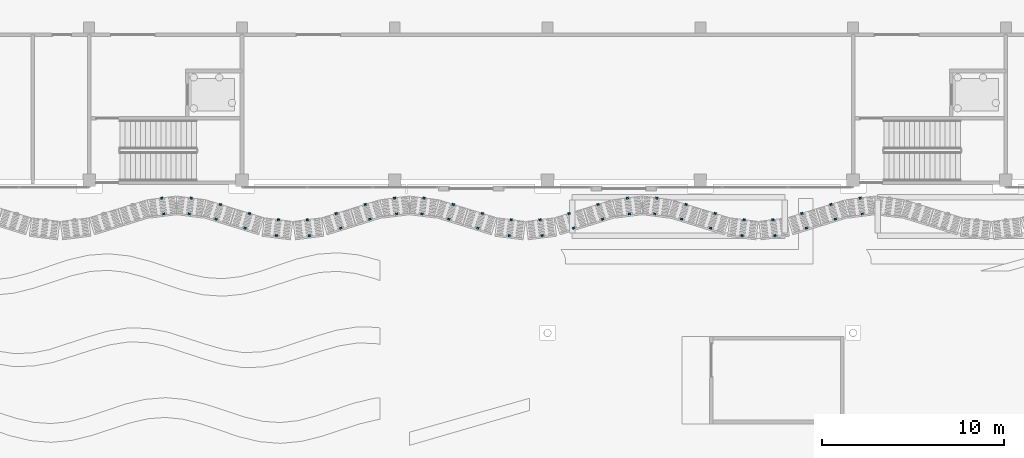
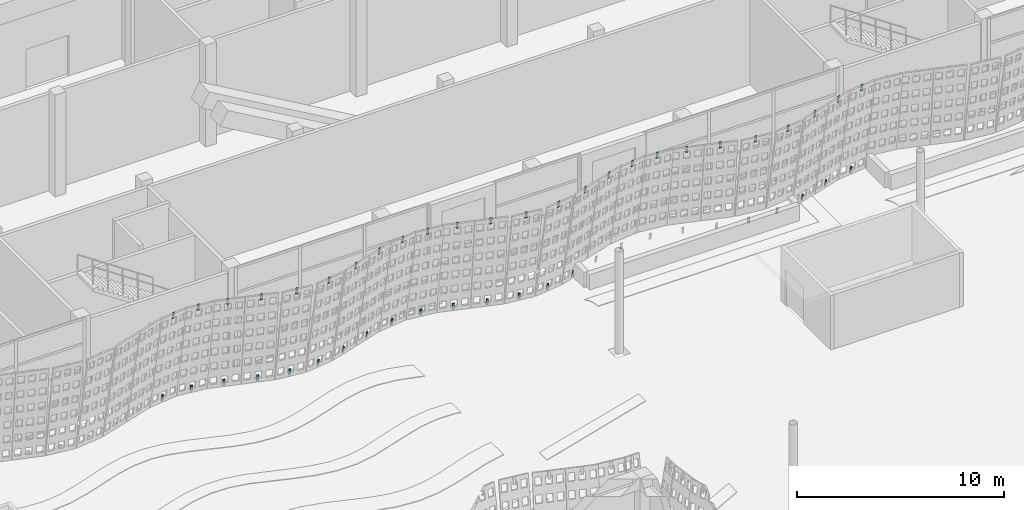
# One storey, part 140 of 210: 50 discrete accessories.
"""IFC4 building model written with IfcOpenShell, lengths in metres."""

import ifcopenshell
import ifcopenshell.guid

model = None  # the IFC model being written
_history = None  # IfcOwnerHistory: only IFC2X3 demands one
_inside = {}  # id of a spatial element -> (the spatial element, [elements in it])
_under = {}  # id of a project, library or spatial element -> (it, [spatial elements below it])
_declared = {}  # id of a project -> (the project, [libraries it declares])
_typed = {}  # id of a type object -> (the type object, [elements of that type])
_made_of = {}  # id of a material, layer set ... -> (it, [elements and type objects made of it])


def new_model(schema):
    """Start an empty IFC model of exactly this schema.

    Asked for "IFC4X3", IfcOpenShell would pick the latest addendum, in which some entities
    have other attributes; the version numbers below select the first issue.
    IFC2X3 requires an IfcOwnerHistory on every rooted entity: one is made here for all.
    """
    global model, _history
    if schema == "IFC4X3":
        model = ifcopenshell.file(schema_version=(4, 3, 0, 0))
    else:
        model = ifcopenshell.file(schema=schema)
    _inside.clear()
    _under.clear()
    _declared.clear()
    _typed.clear()
    _made_of.clear()
    _history = None
    if model.schema == "IFC2X3":
        org = make("IfcOrganization", Name="unknown")
        user = make(
            "IfcPersonAndOrganization",
            ThePerson=make("IfcPerson", FamilyName="unknown"),
            TheOrganization=org,
        )
        app = make(
            "IfcApplication",
            ApplicationDeveloper=org,
            Version="unknown",
            ApplicationFullName="unknown",
            ApplicationIdentifier="unknown",
        )
        _history = make(
            "IfcOwnerHistory",
            OwningUser=user,
            OwningApplication=app,
            ChangeAction="ADDED",
            CreationDate=0,
        )
    return model


def make(cls, **values):
    """One entity of the class cls with the attributes given. An attribute that is None is left unset."""
    return model.create_entity(
        cls, **{name: value for name, value in values.items() if value is not None}
    )


def rooted(cls, **values):
    """An entity with a GlobalId (a new one), such as an element, a storey or a relation."""
    return make(cls, GlobalId=ifcopenshell.guid.new(), OwnerHistory=_history, **values)


def si_unit(unit_type, name, prefix=None):
    """IfcSIUnit, for example si_unit("LENGTHUNIT", "METRE", prefix="MILLI")."""
    return make("IfcSIUnit", UnitType=unit_type, Prefix=prefix, Name=name)


def assignment(units):
    """IfcUnitAssignment: the units of a project."""
    return None if units is None else make("IfcUnitAssignment", Units=units)


def point(xyz):
    """IfcCartesianPoint."""
    return None if xyz is None else make("IfcCartesianPoint", Coordinates=xyz)


def direction(xyz):
    """IfcDirection."""
    return None if xyz is None else make("IfcDirection", DirectionRatios=xyz)


def frame(location, z_axis=None, x_axis=None):
    """IfcAxis2Placement3D, a coordinate frame: its origin and axes. An axis left out is left unset."""
    return make(
        "IfcAxis2Placement3D",
        Location=point(location),
        Axis=direction(z_axis),
        RefDirection=direction(x_axis),
    )


def frame_2d(location, x_axis=None):
    """IfcAxis2Placement2D, a coordinate frame in the plane: its origin and x axis."""
    return make(
        "IfcAxis2Placement2D", Location=point(location), RefDirection=direction(x_axis)
    )


def origin():
    """The frame at (0, 0, 0) with its axes left unset."""
    return frame((0.0, 0.0, 0.0))


def origin_2d():
    """The frame at (0, 0) in the plane with its x axis left unset."""
    return frame_2d((0.0, 0.0))


def place(relative_to, where):
    """IfcLocalPlacement: puts the frame where relative to a parent placement (None: the world)."""
    return make(
        "IfcLocalPlacement", PlacementRelTo=relative_to, RelativePlacement=where
    )


def context(
    kind, dimensions, precision=None, world=None, true_north=None, identifier=None
):
    """IfcGeometricRepresentationContext, for example the 3D "Model" context."""
    return make(
        "IfcGeometricRepresentationContext",
        ContextIdentifier=identifier,
        ContextType=kind,
        CoordinateSpaceDimension=dimensions,
        Precision=precision,
        WorldCoordinateSystem=world,
        TrueNorth=true_north,
    )


def subcontext(parent, identifier, kind, view, scale=None):
    """IfcGeometricRepresentationSubContext, for example "Body" below "Model"."""
    return make(
        "IfcGeometricRepresentationSubContext",
        ContextIdentifier=identifier,
        ContextType=kind,
        ParentContext=parent,
        TargetScale=scale,
        TargetView=view,
    )


def project(units=None, contexts=None):
    """IfcProject with its units and contexts."""
    return rooted(
        "IfcProject",
        Name="project",
        RepresentationContexts=contexts,
        UnitsInContext=assignment(units),
    )


def spatial(cls, under=None, at=None, **own):
    """A site, building, storey or space (cls), placed at a placement, below another one or the project."""
    s = rooted(cls, ObjectPlacement=at, **own)
    if under is not None:
        _under.setdefault(under.id(), (under, []))[1].append(s)
    return s


def profile(cls, at=None, kind="AREA", **sizes):
    """A parametric profile (cls). Its sizes go by their IFC names, for example OverallWidth=200.0."""
    return make(cls, ProfileType=kind, Position=at, **sizes)


def rectangle(**sizes):
    """IfcRectangleProfileDef."""
    return profile("IfcRectangleProfileDef", **sizes)


def extrude(swept, where, along, depth):
    """IfcExtrudedAreaSolid: the profile swept, set in the frame where, extruded along a direction by depth."""
    return make(
        "IfcExtrudedAreaSolid",
        SweptArea=swept,
        Position=where,
        ExtrudedDirection=direction(along),
        Depth=depth,
    )


def shape(context_of_items, identifier, shape_type, items):
    """IfcShapeRepresentation: the items that make up one representation, for example the "Body"."""
    return make(
        "IfcShapeRepresentation",
        ContextOfItems=context_of_items,
        RepresentationIdentifier=identifier,
        RepresentationType=shape_type,
        Items=items,
    )


def material(Name=None, Category=None):
    """IfcMaterial."""
    return make("IfcMaterial", Name=Name, Category=Category)


def material_profile(
    of_material, cross_section, Name=None, Category=None, Priority=None
):
    """IfcMaterialProfile: a cross section and its material."""
    return make(
        "IfcMaterialProfile",
        Name=Name,
        Material=of_material,
        Profile=cross_section,
        Priority=Priority,
        Category=Category,
    )


def profile_set(profiles, Name=None, composite=None):
    """IfcMaterialProfileSet."""
    return make(
        "IfcMaterialProfileSet",
        Name=Name,
        MaterialProfiles=profiles,
        CompositeProfile=composite,
    )


def made_of(thing, what):
    """Note that an element or type object is made of a material, layer set ...; save() writes the relation."""
    if what is not None:
        _made_of.setdefault(what.id(), (what, []))[1].append(thing)
    return thing


def type_object(cls, material=None, **own):
    """A type object (cls), such as IfcWallType, which elements share."""
    return made_of(rooted(cls, **own), material)


def element(
    cls,
    number,
    at=None,
    inside=None,
    cuts=None,
    type_object=None,
    material=None,
    context=None,
    identifier="Body",
    shape_type=None,
    held_by="IfcProductDefinitionShape",
    body=None,
    shapes=None,
    **own,
):
    """One element of the class cls, such as IfcWall. Its Tag is "e" and its number.

    at: its placement. inside: the storey or other place that contains it. cuts: it is an
    opening in that element (IfcRelVoidsElement). A single representation is given by context,
    identifier, shape_type and body (its items); several are given by shapes. held_by: the class
    of the entity that holds the representations. save() writes the other relations.
    """
    e = rooted(cls, Tag="e%d" % number, ObjectPlacement=at, **own)
    if body is not None:
        shapes = [shape(context, identifier, shape_type, body)]
    if shapes is not None:
        e.Representation = make(held_by, Representations=shapes)
    if inside is not None:
        _inside.setdefault(inside.id(), (inside, []))[1].append(e)
    if cuts is not None:
        rooted(
            "IfcRelVoidsElement", RelatingBuildingElement=cuts, RelatedOpeningElement=e
        )
    if type_object is not None:
        _typed.setdefault(type_object.id(), (type_object, []))[1].append(e)
    return made_of(e, material)


def aggregate(whole, parts):
    """IfcRelAggregates: a whole, such as a stair, and the parts it consists of."""
    return rooted("IfcRelAggregates", RelatingObject=whole, RelatedObjects=parts)


def save(model, path):
    """Write the relations noted so far, then the file.

    IfcRelAggregates (storeys below a building ...), IfcRelContainedInSpatialStructure (elements
    in a storey), IfcRelDefinesByType, IfcRelAssociatesMaterial and IfcRelDeclares: one each for
    every whole, place, type object, material and project.
    """
    for whole, parts in _under.values():
        aggregate(whole, parts)
    for where, things in _inside.values():
        rooted(
            "IfcRelContainedInSpatialStructure",
            RelatedElements=things,
            RelatingStructure=where,
        )
    for kind, things in _typed.values():
        rooted("IfcRelDefinesByType", RelatedObjects=things, RelatingType=kind)
    for what, things in _made_of.values():
        rooted("IfcRelAssociatesMaterial", RelatedObjects=things, RelatingMaterial=what)
    for by, libraries in _declared.values():
        rooted("IfcRelDeclares", RelatingContext=by, RelatedDefinitions=libraries)
    model.write(path)


model = new_model("IFC4")

# Units and contexts
model_context = context("Model", 3, precision=1e-05, world=origin(), true_north=direction((0.0, 1.0)))
body_context = subcontext(model_context, "Body", "Model", "MODEL_VIEW")
ifc_project = project(units=[si_unit("LENGTHUNIT", "METRE"), si_unit("AREAUNIT", "SQUARE_METRE"), si_unit("VOLUMEUNIT", "CUBIC_METRE"), si_unit("PLANEANGLEUNIT", "RADIAN"), si_unit("MASSUNIT", "GRAM", prefix="KILO")], contexts=[model_context])

# Site, building, storey
site_placement = place(None, origin())
site = spatial("IfcSite", under=ifc_project, at=site_placement, CompositionType="ELEMENT")
building_placement = place(site_placement, origin())
building = spatial("IfcBuilding", under=site, at=building_placement, Name="Rain Tree Exposition and Congress Centre", CompositionType="ELEMENT")
storey_placement = place(building_placement, origin())
storey = spatial("IfcBuildingStorey", under=building, at=storey_placement, Name="L00", CompositionType="ELEMENT", Elevation=0.0)

# Discrete accessories
ifc_material = material(Name="Steel S355J2", Category="steel")
ifc_material_profile = material_profile(ifc_material, rectangle(XDim=0.1201171875, YDim=0.050048828125, at=origin_2d()), Name="Flat bar 120x50")
ifc_profile_set = profile_set([ifc_material_profile], Name="Steel S355J2")
discrete_accessory_type = type_object("IfcDiscreteAccessoryType", Name="Screen bracket 120x50", PredefinedType="BRACKET", material=ifc_profile_set)
for number, where, z_axis, x_axis, name in (
    (1, (37.6982421875, 73.781005859375, 5.351318359375), (0.020139379294, -0.160504750127, 0.986829585384), (0.992219726556, 0.124499053142, 0.0), "concourse/bracket/L00/0241t"),
    (2, (37.5869140625, 74.650390625, 0.00390625), (0.020139379294, -0.160504750127, 0.986829585384), (0.992219726556, 0.124499053142, 0.0), "concourse/bracket/L00/0241b"),
    (3, (39.101806640625, 73.781005859375, 5.351318359375), (-0.020749404626, -0.160502747552, 0.986817272972), (0.991746960377, -0.128210633661, 0.0), "concourse/bracket/L00/0251t"),
    (4, (39.213134765625, 74.650390625, 0.00390625), (-0.020139379294, -0.160504750127, 0.986829585384), (0.992219726556, -0.124499053142, 0.0), "concourse/bracket/L00/0251b"),
):
    element("IfcDiscreteAccessory", number, at=place(storey_placement, frame(where, z_axis=z_axis, x_axis=x_axis)), inside=storey, type_object=discrete_accessory_type, Name=name, PredefinedType="BRACKET", context=body_context, shape_type="SweptSolid", body=[
        extrude(rectangle(XDim=0.1201171875, YDim=0.050048828125, at=origin_2d()), origin(), (0.0, 0.0, 1.0), 0.400146484375),
    ])
for number, where, z_axis, x_axis, name in (
    (5, (40.5810546875, 73.489990234375, 5.35107421875), (-0.045787195948, -0.148961010819, 0.987782440593), (0.955863671221, -0.293810554678, 0.0), "concourse/bracket/L00/0261t"),
    (6, (40.83056640625, 74.29638671875, 0.00390625), (-0.045787195948, -0.148961010819, 0.987782440593), (0.955863671221, -0.293810554678, 0.0), "concourse/bracket/L00/0261b"),
    (7, (42.177734375, 72.99609375, 5.35107421875), (-0.045783024094, -0.149557878708, 0.987692439791), (0.956199955507, -0.292714272094, 0.0), "concourse/bracket/L00/0271t"),
    (8, (42.42724609375, 73.802490234375, 0.00390625), (-0.045787195948, -0.148961010819, 0.987782440593), (0.955863671221, -0.293810554678, 0.0), "concourse/bracket/L00/0271b"),
):
    element("IfcDiscreteAccessory", number, at=place(storey_placement, frame(where, z_axis=z_axis, x_axis=x_axis)), inside=storey, type_object=discrete_accessory_type, Name=name, PredefinedType="BRACKET", context=body_context, shape_type="SweptSolid", body=[
        extrude(rectangle(XDim=0.1201171875, YDim=0.050048828125, at=origin_2d()), origin(), (0.0, 0.0, 1.0), 0.39990234375),
    ])
for number, where, z_axis, x_axis, name in (
    (9, (43.900146484375, 72.586181640625, 5.351318359375), (-0.020749404626, -0.160502747552, 0.986817272972), (0.991746960377, -0.128210633661, 0.0), "concourse/bracket/L00/0281t"),
    (10, (44.011474609375, 73.45556640625, 0.00390625), (-0.020139379294, -0.160504750127, 0.986829585384), (0.992219726556, -0.124499053142, 0.0), "concourse/bracket/L00/0281b"),
    (11, (45.699951171875, 72.586181640625, 5.351318359375), (0.020139379294, -0.160504750127, 0.986829585384), (0.992219726556, 0.124499053142, 0.0), "concourse/bracket/L00/0291t"),
    (12, (45.58837890625, 73.45556640625, 0.00390625), (0.020749404626, -0.160502747552, 0.986817272972), (0.991746960377, 0.128210633661, 0.0), "concourse/bracket/L00/0291b"),
):
    element("IfcDiscreteAccessory", number, at=place(storey_placement, frame(where, z_axis=z_axis, x_axis=x_axis)), inside=storey, type_object=discrete_accessory_type, Name=name, PredefinedType="BRACKET", context=body_context, shape_type="SweptSolid", body=[
        extrude(rectangle(XDim=0.1201171875, YDim=0.050048828125, at=origin_2d()), origin(), (0.0, 0.0, 1.0), 0.400146484375),
    ])
for number, where, z_axis, x_axis, name in (
    (13, (47.422119140625, 72.99609375, 5.35107421875), (0.046392159231, -0.149553671205, 0.987664653104), (0.955102182504, 0.296276595389, 0.0), "concourse/bracket/L00/0301t"),
    (14, (47.172607421875, 73.802490234375, 0.00390625), (0.046396386353, -0.148956819344, 0.987754646309), (0.954758063246, 0.297383659044, 0.0), "concourse/bracket/L00/0301b"),
    (15, (49.018798828125, 73.489990234375, 5.35107421875), (0.046396386353, -0.148956819344, 0.987754646309), (0.954758063246, 0.297383659044, 0.0), "concourse/bracket/L00/0311t"),
    (16, (48.769287109375, 74.29638671875, 0.00390625), (0.046396386353, -0.148956819344, 0.987754646309), (0.954758063246, 0.297383659044, 0.0), "concourse/bracket/L00/0311b"),
):
    element("IfcDiscreteAccessory", number, at=place(storey_placement, frame(where, z_axis=z_axis, x_axis=x_axis)), inside=storey, type_object=discrete_accessory_type, Name=name, PredefinedType="BRACKET", context=body_context, shape_type="SweptSolid", body=[
        extrude(rectangle(XDim=0.1201171875, YDim=0.050048828125, at=origin_2d()), origin(), (0.0, 0.0, 1.0), 0.39990234375),
    ])
for number, where, z_axis, x_axis, name in (
    (17, (50.498291015625, 73.781005859375, 5.351318359375), (0.020139379294, -0.160504750127, 0.986829585384), (0.992219726556, 0.124499053142, 0.0), "concourse/bracket/L00/0321t"),
    (18, (50.38671875, 74.650390625, 0.00390625), (0.020749404626, -0.160502747552, 0.986817272972), (0.991746960377, 0.128210633661, 0.0), "concourse/bracket/L00/0321b"),
    (19, (51.90185546875, 73.781005859375, 5.351318359375), (-0.020749404626, -0.160502747552, 0.986817272972), (0.991746960377, -0.128210633661, 0.0), "concourse/bracket/L00/0331t"),
    (20, (52.01318359375, 74.650390625, 0.00390625), (-0.020749404626, -0.160502747552, 0.986817272972), (0.991746960377, -0.128210633661, 0.0), "concourse/bracket/L00/0331b"),
):
    element("IfcDiscreteAccessory", number, at=place(storey_placement, frame(where, z_axis=z_axis, x_axis=x_axis)), inside=storey, type_object=discrete_accessory_type, Name=name, PredefinedType="BRACKET", context=body_context, shape_type="SweptSolid", body=[
        extrude(rectangle(XDim=0.1201171875, YDim=0.050048828125, at=origin_2d()), origin(), (0.0, 0.0, 1.0), 0.400146484375),
    ])
for number, where, z_axis, x_axis, name in (
    (21, (53.381103515625, 73.489990234375, 5.35107421875), (-0.045787195948, -0.148961010819, 0.987782440593), (0.955863671221, -0.293810554678, 0.0), "concourse/bracket/L00/0341t"),
    (22, (53.630615234375, 74.29638671875, 0.00390625), (-0.045787195948, -0.148961010819, 0.987782440593), (0.955863671221, -0.293810554678, 0.0), "concourse/bracket/L00/0341b"),
    (23, (54.977783203125, 72.99609375, 5.35107421875), (-0.045783024094, -0.149557878708, 0.987692439791), (0.956199955507, -0.292714272094, 0.0), "concourse/bracket/L00/0351t"),
    (24, (55.227294921875, 73.802490234375, 0.00390625), (-0.045787195948, -0.148961010819, 0.987782440593), (0.955863671221, -0.293810554678, 0.0), "concourse/bracket/L00/0351b"),
):
    element("IfcDiscreteAccessory", number, at=place(storey_placement, frame(where, z_axis=z_axis, x_axis=x_axis)), inside=storey, type_object=discrete_accessory_type, Name=name, PredefinedType="BRACKET", context=body_context, shape_type="SweptSolid", body=[
        extrude(rectangle(XDim=0.1201171875, YDim=0.050048828125, at=origin_2d()), origin(), (0.0, 0.0, 1.0), 0.39990234375),
    ])
for number, where, z_axis, x_axis, name in (
    (25, (56.7001953125, 72.586181640625, 5.351318359375), (-0.020749404626, -0.160502747552, 0.986817272972), (0.991746960377, -0.128210633661, 0.0), "concourse/bracket/L00/0361t"),
    (26, (56.8115234375, 73.45556640625, 0.00390625), (-0.020749404626, -0.160502747552, 0.986817272972), (0.991746960377, -0.128210633661, 0.0), "concourse/bracket/L00/0361b"),
    (27, (58.5, 72.586181640625, 5.351318359375), (0.020139379294, -0.160504750127, 0.986829585384), (0.992219726556, 0.124499053142, 0.0), "concourse/bracket/L00/0371t"),
    (28, (58.388427734375, 73.45556640625, 0.00390625), (0.020749404626, -0.160502747552, 0.986817272972), (0.991746960377, 0.128210633661, 0.0), "concourse/bracket/L00/0371b"),
):
    element("IfcDiscreteAccessory", number, at=place(storey_placement, frame(where, z_axis=z_axis, x_axis=x_axis)), inside=storey, type_object=discrete_accessory_type, Name=name, PredefinedType="BRACKET", context=body_context, shape_type="SweptSolid", body=[
        extrude(rectangle(XDim=0.1201171875, YDim=0.050048828125, at=origin_2d()), origin(), (0.0, 0.0, 1.0), 0.400146484375),
    ])
for number, where, z_axis, x_axis, name in (
    (29, (60.22216796875, 72.99609375, 5.35107421875), (0.045783024094, -0.149557878708, 0.987692439791), (0.956199955507, 0.292714272094, 0.0), "concourse/bracket/L00/0381t"),
    (30, (59.97265625, 73.802490234375, 0.00390625), (0.046396386353, -0.148956819344, 0.987754646309), (0.954758063246, 0.297383659044, 0.0), "concourse/bracket/L00/0381b"),
    (31, (61.81884765625, 73.489990234375, 5.35107421875), (0.046396386353, -0.148956819344, 0.987754646309), (0.954758063246, 0.297383659044, 0.0), "concourse/bracket/L00/0391t"),
    (32, (61.5693359375, 74.29638671875, 0.00390625), (0.046396386353, -0.148956819344, 0.987754646309), (0.954758063246, 0.297383659044, 0.0), "concourse/bracket/L00/0391b"),
):
    element("IfcDiscreteAccessory", number, at=place(storey_placement, frame(where, z_axis=z_axis, x_axis=x_axis)), inside=storey, type_object=discrete_accessory_type, Name=name, PredefinedType="BRACKET", context=body_context, shape_type="SweptSolid", body=[
        extrude(rectangle(XDim=0.1201171875, YDim=0.050048828125, at=origin_2d()), origin(), (0.0, 0.0, 1.0), 0.39990234375),
    ])
for number, where, z_axis, x_axis, name in (
    (33, (63.298095703125, 73.781005859375, 5.351318359375), (0.020749404626, -0.160502747552, 0.986817272972), (0.991746960377, 0.128210633661, 0.0), "concourse/bracket/L00/0401t"),
    (34, (63.186767578125, 74.650390625, 0.00390625), (0.020749404626, -0.160502747552, 0.986817272972), (0.991746960377, 0.128210633661, 0.0), "concourse/bracket/L00/0401b"),
    (35, (64.701904296875, 73.781005859375, 5.351318359375), (-0.020749404626, -0.160502747552, 0.986817272972), (0.991746960377, -0.128210633661, 0.0), "concourse/bracket/L00/0411t"),
    (36, (64.813232421875, 74.650390625, 0.00390625), (-0.020749404626, -0.160502747552, 0.986817272972), (0.991746960377, -0.128210633661, 0.0), "concourse/bracket/L00/0411b"),
):
    element("IfcDiscreteAccessory", number, at=place(storey_placement, frame(where, z_axis=z_axis, x_axis=x_axis)), inside=storey, type_object=discrete_accessory_type, Name=name, PredefinedType="BRACKET", context=body_context, shape_type="SweptSolid", body=[
        extrude(rectangle(XDim=0.1201171875, YDim=0.050048828125, at=origin_2d()), origin(), (0.0, 0.0, 1.0), 0.400146484375),
    ])
for number, where, z_axis, x_axis, name in (
    (37, (66.18115234375, 73.489990234375, 5.35107421875), (-0.046396386353, -0.148956819344, 0.987754646309), (0.954758063246, -0.297383659044, 0.0), "concourse/bracket/L00/0421t"),
    (38, (66.4306640625, 74.29638671875, 0.00390625), (-0.046396386353, -0.148956819344, 0.987754646309), (0.954758063246, -0.297383659044, 0.0), "concourse/bracket/L00/0421b"),
    (39, (67.77783203125, 72.99609375, 5.35107421875), (-0.045783024094, -0.149557878708, 0.987692439791), (0.956199955507, -0.292714272094, 0.0), "concourse/bracket/L00/0431t"),
    (40, (68.02734375, 73.802490234375, 0.00390625), (-0.046396386353, -0.148956819344, 0.987754646309), (0.954758063246, -0.297383659044, 0.0), "concourse/bracket/L00/0431b"),
):
    element("IfcDiscreteAccessory", number, at=place(storey_placement, frame(where, z_axis=z_axis, x_axis=x_axis)), inside=storey, type_object=discrete_accessory_type, Name=name, PredefinedType="BRACKET", context=body_context, shape_type="SweptSolid", body=[
        extrude(rectangle(XDim=0.1201171875, YDim=0.050048828125, at=origin_2d()), origin(), (0.0, 0.0, 1.0), 0.39990234375),
    ])
for number, where, z_axis, x_axis, name in (
    (41, (69.5, 72.586181640625, 5.351318359375), (-0.020139379294, -0.160504750127, 0.986829585384), (0.992219726556, -0.124499053142, 0.0), "concourse/bracket/L00/0441t"),
    (42, (69.611572265625, 73.45556640625, 0.00390625), (-0.020749404626, -0.160502747552, 0.986817272972), (0.991746960377, -0.128210633661, 0.0), "concourse/bracket/L00/0441b"),
    (43, (71.2998046875, 72.586181640625, 5.351318359375), (0.020749404626, -0.160502747552, 0.986817272972), (0.991746960377, 0.128210633661, 0.0), "concourse/bracket/L00/0451t"),
    (44, (71.1884765625, 73.45556640625, 0.00390625), (0.020749404626, -0.160502747552, 0.986817272972), (0.991746960377, 0.128210633661, 0.0), "concourse/bracket/L00/0451b"),
):
    element("IfcDiscreteAccessory", number, at=place(storey_placement, frame(where, z_axis=z_axis, x_axis=x_axis)), inside=storey, type_object=discrete_accessory_type, Name=name, PredefinedType="BRACKET", context=body_context, shape_type="SweptSolid", body=[
        extrude(rectangle(XDim=0.1201171875, YDim=0.050048828125, at=origin_2d()), origin(), (0.0, 0.0, 1.0), 0.400146484375),
    ])
for number, where, z_axis, x_axis, name in (
    (45, (73.022216796875, 72.99609375, 5.35107421875), (0.045783024094, -0.149557878708, 0.987692439791), (0.956199955507, 0.292714272094, 0.0), "concourse/bracket/L00/0461t"),
    (46, (72.772705078125, 73.802490234375, 0.00390625), (0.045787195948, -0.148961010819, 0.987782440593), (0.955863671221, 0.293810554678, 0.0), "concourse/bracket/L00/0461b"),
    (47, (74.618896484375, 73.489990234375, 5.35107421875), (0.045787195948, -0.148961010819, 0.987782440593), (0.955863671221, 0.293810554678, 0.0), "concourse/bracket/L00/0471t"),
    (48, (74.369384765625, 74.29638671875, 0.00390625), (0.045787195948, -0.148961010819, 0.987782440593), (0.955863671221, 0.293810554678, 0.0), "concourse/bracket/L00/0471b"),
):
    element("IfcDiscreteAccessory", number, at=place(storey_placement, frame(where, z_axis=z_axis, x_axis=x_axis)), inside=storey, type_object=discrete_accessory_type, Name=name, PredefinedType="BRACKET", context=body_context, shape_type="SweptSolid", body=[
        extrude(rectangle(XDim=0.1201171875, YDim=0.050048828125, at=origin_2d()), origin(), (0.0, 0.0, 1.0), 0.39990234375),
    ])
for number, where, z_axis, x_axis, name in (
    (49, (76.09814453125, 73.781005859375, 5.351318359375), (0.020749404626, -0.160502747552, 0.986817272972), (0.991746960377, 0.128210633661, 0.0), "concourse/bracket/L00/0481t"),
    (50, (75.98681640625, 74.650390625, 0.00390625), (0.020749404626, -0.160502747552, 0.986817272972), (0.991746960377, 0.128210633661, 0.0), "concourse/bracket/L00/0481b"),
):
    element("IfcDiscreteAccessory", number, at=place(storey_placement, frame(where, z_axis=z_axis, x_axis=x_axis)), inside=storey, type_object=discrete_accessory_type, Name=name, PredefinedType="BRACKET", context=body_context, shape_type="SweptSolid", body=[
        extrude(rectangle(XDim=0.1201171875, YDim=0.050048828125, at=origin_2d()), origin(), (0.0, 0.0, 1.0), 0.400146484375),
    ])

save(model, "model.ifc")
